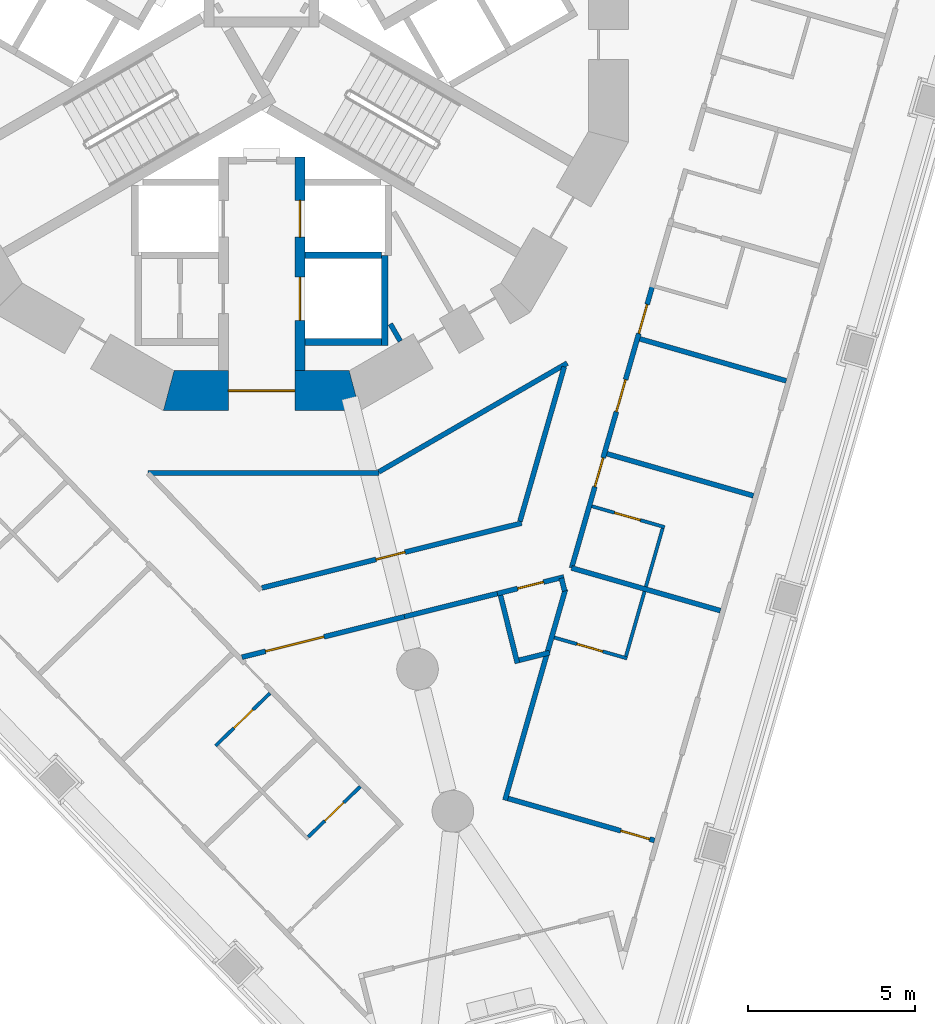
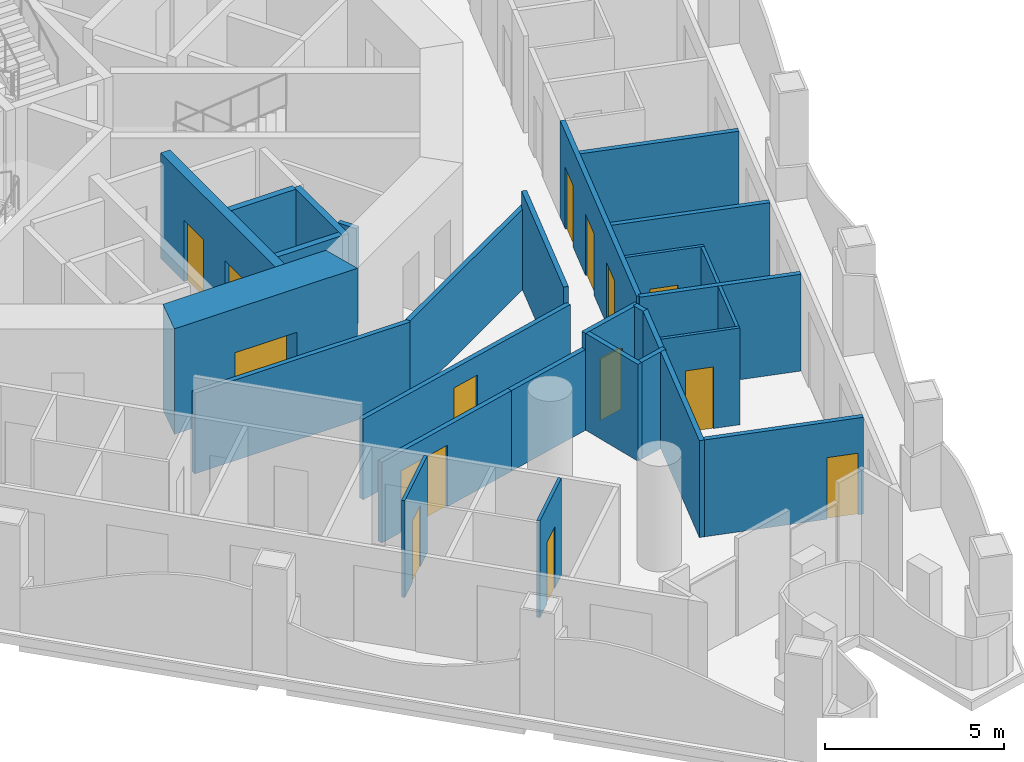
# One storey, part 4 of 20: 28 walls, 14 doors, 14 openings.
"""IFC4 building model written with IfcOpenShell, lengths in metres."""

from ifc_helpers import new_model, si_unit, direction, frame, frame_2d, origin, place, context, subcontext, project, spatial, polyline, rectangle, outline, extrude, material, layer, layer_set, type_object, element, fill, save


model = new_model("IFC4")

# Units and contexts
model_context = context("Model", 3, precision=1e-05, world=origin(), true_north=direction((0.0, 1.0)))
body_context = subcontext(model_context, "Body", "Model", "MODEL_VIEW")
ifc_project = project(units=[si_unit("LENGTHUNIT", "METRE"), si_unit("AREAUNIT", "SQUARE_METRE"), si_unit("VOLUMEUNIT", "CUBIC_METRE"), si_unit("PLANEANGLEUNIT", "RADIAN"), si_unit("MASSUNIT", "GRAM", prefix="KILO")], contexts=[model_context])

# Site, building, storey
site_placement = place(None, origin())
site = spatial("IfcSite", under=ifc_project, at=site_placement, CompositionType="ELEMENT")
building_placement = place(site_placement, origin())
building = spatial("IfcBuilding", under=site, at=building_placement, Name="Trine Commons Tower", CompositionType="ELEMENT")
storey_placement = place(building_placement, frame((0.0, 0.0, 101.699951171875)))
storey = spatial("IfcBuildingStorey", under=building, at=storey_placement, Name="L25", CompositionType="ELEMENT", Elevation=101.699951171875)

# Wall
ifc_material_1 = material(Name="Plasterboard partition on steel studs", Category="steel")
ifc_layer_1 = layer(ifc_material_1, 0.14990234375)
ifc_layer_set_1 = layer_set([ifc_layer_1], Name="Plasterboard partition on steel studs")
wall_type_1 = type_object("IfcWallType", Name="Core room partition 150 mm, EI 60", PredefinedType="PARTITIONING", material=ifc_layer_set_1)
wall_1_placement = place(storey_placement, frame((84.1640625, 53.574951171875, 0.0), z_axis=(0.0, 0.0, 1.0), x_axis=(-0.500665675203, 0.865640734759, 0.0)))
element("IfcWall", 1, at=wall_1_placement, inside=storey, type_object=wall_type_1, Name="Core room partition L25", PredefinedType="PARTITIONING", context=body_context, shape_type="SweptSolid", body=[
    extrude(rectangle(XDim=0.597412109375, YDim=0.14990234375, at=frame_2d((0.298828125, 0.0))), origin(), (0.0, 0.0, 1.0), 3.300048828125),
])

# Wall, opening, door
ifc_material_2 = material(Name="Concrete C70/85", Category="concrete")
ifc_layer_2 = layer(ifc_material_2, 1.199951171875)
ifc_layer_set_2 = layer_set([ifc_layer_2], Name="Concrete C70/85")
wall_type_2 = type_object("IfcWallType", Name="RC shear wall 1200 mm, C70/85", PredefinedType="SHEAR", material=ifc_layer_set_2)
wall_2_placement = place(storey_placement, frame((77.049560546875, 52.08837890625, 0.0), z_axis=(0.0, 0.0, 1.0), x_axis=(1.0, 0.0, 0.0)))
wall_2 = element("IfcWall", 2, at=wall_2_placement, inside=storey, type_object=wall_type_2, Name="Core wall CWC-10 L25", PredefinedType="SHEAR", context=body_context, shape_type="SweptSolid", body=[
    extrude(outline(polyline([(0.0, -0.60009765625), (5.90087890625, -0.60009765625), (5.57958984375, 0.60009765625), (0.321533203125, 0.60009765625), (0.0, -0.60009765625)])), origin(), (0.0, 0.0, 1.0), 3.60009765625),
])
opening_1_placement = place(wall_2_placement, frame((1.950439453125, 0.0, 0.0)))
opening_1 = element("IfcOpeningElement", 3, at=opening_1_placement, cuts=wall_2, Name="Opening K04.08", PredefinedType="OPENING", context=body_context, shape_type="SweptSolid", body=[
    extrude(rectangle(XDim=2.0, YDim=2.10009765625, at=frame_2d((1.0, 1.050048828125))), frame((0.0, 0.60986328125, 0.0), z_axis=(0.0, -1.0, 0.0), x_axis=(1.0, 0.0, 0.0)), (0.0, 0.0, 1.0), 1.219970703125),
])
ifc_material_3 = material(Name="Steel door leaves, fire-rated", Category="steel")
door_type_1 = type_object("IfcDoorType", Name="Lobby door, double leaf 2000 x 2100, FD60", OperationType="DOUBLE_DOOR_SINGLE_SWING", PredefinedType="DOOR", material=ifc_material_3)
door_1_placement = place(opening_1_placement, origin())
door_1 = element("IfcDoor", 4, at=door_1_placement, inside=storey, type_object=door_type_1, Name="Lobby door, Service and firefighting lobby L25", OperationType="DOUBLE_DOOR_SINGLE_SWING", OverallHeight=2.10009765625, OverallWidth=2.0, PredefinedType="DOOR", context=body_context, shape_type="SweptSolid", body=[
    extrude(rectangle(XDim=2.0, YDim=2.10009765625, at=frame_2d((1.0, 1.050048828125))), frame((0.0, 0.02490234375, 0.0), z_axis=(0.0, -1.0, 0.0), x_axis=(1.0, 0.0, 0.0)), (0.0, 0.0, 1.0), 0.050048828125),
])
fill(opening_1, door_1)

# Wall, openings, doors
ifc_layer_3 = layer(ifc_material_2, 0.300048828125)
ifc_layer_set_3 = layer_set([ifc_layer_3], Name="Concrete C70/85")
wall_type_3 = type_object("IfcWallType", Name="RC shear wall 300 mm, C70/85", PredefinedType="SHEAR", material=ifc_layer_set_3)
wall_3_placement = place(storey_placement, frame((81.14990234375, 59.10009765625, 0.0), z_axis=(0.0, 0.0, 1.0), x_axis=(0.0, -1.0, 0.0)))
wall_3 = element("IfcWall", 5, at=wall_3_placement, inside=storey, type_object=wall_type_3, Name="Core cross wall SWA-04 L25", PredefinedType="SHEAR", context=body_context, shape_type="SweptSolid", body=[
    extrude(rectangle(XDim=6.412109375, YDim=0.300048828125, at=frame_2d((3.2060546875, 0.0))), origin(), (0.0, 0.0, 1.0), 3.60009765625),
])
opening_2_placement = place(wall_3_placement, frame((3.60009765625, 0.0, 0.0)))
opening_2 = element("IfcOpeningElement", 6, at=opening_2_placement, cuts=wall_3, Name="Opening LD11", PredefinedType="OPENING", context=body_context, shape_type="SweptSolid", body=[
    extrude(rectangle(XDim=1.300048828125, YDim=2.10009765625, at=frame_2d((0.64990234375, 1.050048828125))), frame((0.0, 0.159912109375, 0.0), z_axis=(0.0, -1.0, 0.0), x_axis=(1.0, 0.0, 0.0)), (0.0, 0.0, 1.0), 0.320068359375),
])
opening_3_placement = place(wall_3_placement, frame((1.300048828125, 0.0, 0.0)))
opening_3 = element("IfcOpeningElement", 7, at=opening_3_placement, cuts=wall_3, Name="Opening LD9", PredefinedType="OPENING", context=body_context, shape_type="SweptSolid", body=[
    extrude(rectangle(XDim=1.10009765625, YDim=2.10009765625, at=frame_2d((0.550048828125, 1.050048828125))), frame((0.0, 0.159912109375, 0.0), z_axis=(0.0, -1.0, 0.0), x_axis=(1.0, 0.0, 0.0)), (0.0, 0.0, 1.0), 0.320068359375),
])
ifc_material_4 = material(Name="Stainless steel sliding door leaves", Category="steel")
door_type_2 = type_object("IfcDoorType", Name="Lift landing door, centre-opening sliding 1100 x 2100, FD90", OperationType="DOUBLE_DOOR_SLIDING", PredefinedType="DOOR", material=ifc_material_4)
door_2_placement = place(opening_3_placement, origin())
door_2 = element("IfcDoor", 8, at=door_2_placement, inside=storey, type_object=door_type_2, Name="Lift landing door FF1 L25", OperationType="DOUBLE_DOOR_SLIDING", OverallHeight=2.10009765625, OverallWidth=1.10009765625, PredefinedType="DOOR", context=body_context, shape_type="SweptSolid", body=[
    extrude(rectangle(XDim=1.10009765625, YDim=2.10009765625, at=frame_2d((0.550048828125, 1.050048828125))), frame((0.0, 0.02490234375, 0.0), z_axis=(0.0, -1.0, 0.0), x_axis=(1.0, 0.0, 0.0)), (0.0, 0.0, 1.0), 0.050048828125),
])
fill(opening_3, door_2)
door_type_3 = type_object("IfcDoorType", Name="Lift landing door, centre-opening sliding 1300 x 2100, FD90", OperationType="DOUBLE_DOOR_SLIDING", PredefinedType="DOOR", material=ifc_material_4)
door_3_placement = place(opening_2_placement, origin())
door_3 = element("IfcDoor", 9, at=door_3_placement, inside=storey, type_object=door_type_3, Name="Lift landing door G1 L25", OperationType="DOUBLE_DOOR_SLIDING", OverallHeight=2.10009765625, OverallWidth=1.300048828125, PredefinedType="DOOR", context=body_context, shape_type="SweptSolid", body=[
    extrude(rectangle(XDim=1.300048828125, YDim=2.10009765625, at=frame_2d((0.64990234375, 1.050048828125))), frame((0.0, 0.02490234375, 0.0), z_axis=(0.0, -1.0, 0.0), x_axis=(1.0, 0.0, 0.0)), (0.0, 0.0, 1.0), 0.050048828125),
])
fill(opening_2, door_3)

# Walls
ifc_material_5 = material(Name="Fire-rated gypsum shaft wall system")
ifc_layer_4 = layer(ifc_material_5, 0.199951171875)
ifc_layer_set_4 = layer_set([ifc_layer_4], Name="Fire-rated gypsum shaft wall system")
wall_type_4 = type_object("IfcWallType", Name="Shaft wall 200 mm, EI 120", PredefinedType="PARTITIONING", material=ifc_layer_set_4)
for number, where, z_axis, x_axis, name in (
    (10, (81.300048828125, 53.550048828125, 0.0), (0.0, 0.0, 1.0), (1.0, 0.0, 0.0), "Shaft wall L25"),
    (11, (81.300048828125, 56.14990234375, 0.0), (0.0, 0.0, 1.0), (1.0, 0.0, 0.0), "Shaft wall L25"),
):
    element("IfcWall", number, at=place(storey_placement, frame(where, z_axis=z_axis, x_axis=x_axis)), inside=storey, type_object=wall_type_4, Name=name, PredefinedType="PARTITIONING", context=body_context, shape_type="SweptSolid", body=[
        extrude(rectangle(XDim=2.300048828125, YDim=0.199951171875, at=frame_2d((1.14990234375, 0.0))), origin(), (0.0, 0.0, 1.0), 3.300048828125),
    ])
wall_4_placement = place(storey_placement, frame((83.699951171875, 56.14990234375, 0.0), z_axis=(0.0, 0.0, 1.0), x_axis=(0.0, -1.0, 0.0)))
element("IfcWall", 12, at=wall_4_placement, inside=storey, type_object=wall_type_4, Name="Shaft wall L25", PredefinedType="PARTITIONING", context=body_context, shape_type="SweptSolid", body=[
    extrude(rectangle(XDim=2.699951171875, YDim=0.199951171875, at=frame_2d((1.35009765625, 0.0))), origin(), (0.0, 0.0, 1.0), 3.300048828125),
])
ifc_material_6 = material(Name="Gypsum plasterboard on steel stud", Category="steel")
ifc_layer_5 = layer(ifc_material_6, 0.14990234375)
ifc_layer_set_5 = layer_set([ifc_layer_5], Name="Gypsum plasterboard on steel stud")
wall_type_5 = type_object("IfcWallType", Name="Unit and corridor wall 150 mm, EI 60", PredefinedType="PARTITIONING", material=ifc_layer_set_5)
wall_5_placement = place(storey_placement, frame((76.583984375, 49.613037109375, 0.0), z_axis=(0.0, 0.0, 1.0), x_axis=(1.0, 0.0, 0.0)))
element("IfcWall", 13, at=wall_5_placement, inside=storey, type_object=wall_type_5, Name="Partition 060", PredefinedType="PARTITIONING", context=body_context, shape_type="SweptSolid", body=[
    extrude(rectangle(XDim=6.944091796875, YDim=0.14990234375, at=frame_2d((3.47216796875, 0.0))), origin(), (0.0, 0.0, 1.0), 2.75),
])

# Wall, opening, door
wall_6_placement = place(storey_placement, frame((79.40869140625, 44.087158203125, 0.0), z_axis=(0.0, 0.0, 1.0), x_axis=(0.970285120957, 0.241964427241, 0.0)))
wall_6 = element("IfcWall", 14, at=wall_6_placement, inside=storey, type_object=wall_type_5, Name="Partition 072", PredefinedType="PARTITIONING", context=body_context, shape_type="SweptSolid", body=[
    extrude(rectangle(XDim=5.02880859375, YDim=0.14990234375, at=frame_2d((2.514404296875, 0.0))), origin(), (0.0, 0.0, 1.0), 2.75),
])
opening_4_placement = place(wall_6_placement, frame((0.735595703125, 0.0, 0.0)))
opening_4 = element("IfcOpeningElement", 15, at=opening_4_placement, cuts=wall_6, Name="Opening D-3B02", PredefinedType="OPENING", context=body_context, shape_type="SweptSolid", body=[
    extrude(rectangle(XDim=1.800048828125, YDim=2.10009765625, at=frame_2d((0.89990234375, 1.050048828125))), frame((0.0, 0.0849609375, 0.0), z_axis=(0.0, -1.0, 0.0), x_axis=(1.0, 0.0, 0.0)), (0.0, 0.0, 1.0), 0.169921875),
])
ifc_material_7 = material(Name="Timber fire door set", Category="wood")
door_type_4 = type_object("IfcDoorType", Name="Cluster entrance door 1800 x 2100, double leaf, FD30S", OperationType="DOUBLE_DOOR_DOUBLE_SWING", PredefinedType="DOOR", material=ifc_material_7)
door_4_placement = place(opening_4_placement, frame((1.800048828125, 0.0, 0.0), z_axis=(0.0, 0.0, 1.0), x_axis=(-1.0, 0.0, 0.0)))
door_4 = element("IfcDoor", 16, at=door_4_placement, inside=storey, type_object=door_type_4, Name="Door D-3B02", OperationType="DOUBLE_DOOR_DOUBLE_SWING", OverallHeight=2.10009765625, OverallWidth=1.800048828125, PredefinedType="DOOR", context=body_context, shape_type="SweptSolid", body=[
    extrude(rectangle(XDim=1.800048828125, YDim=2.10009765625, at=frame_2d((0.89990234375, 1.050048828125))), frame((0.0, 0.02490234375, 0.0), z_axis=(0.0, -1.0, 0.0), x_axis=(1.0, 0.0, 0.0)), (0.0, 0.0, 1.0), 0.050048828125),
])
fill(opening_4, door_4)

wall_7_placement = place(storey_placement, frame((80.005859375, 46.168212890625, 0.0), z_axis=(0.0, 0.0, 1.0), x_axis=(0.970272737209, 0.242014081056, 0.0)))
wall_7 = element("IfcWall", 17, at=wall_7_placement, inside=storey, type_object=wall_type_5, Name="Partition 074", PredefinedType="PARTITIONING", context=body_context, shape_type="SweptSolid", body=[
    extrude(rectangle(XDim=8.041015625, YDim=0.14990234375, at=frame_2d((4.0205078125, 0.0))), origin(), (0.0, 0.0, 1.0), 2.75),
])
opening_5_placement = place(wall_7_placement, frame((3.532958984375, 0.0, 0.0)))
opening_5 = element("IfcOpeningElement", 18, at=opening_5_placement, cuts=wall_7, Name="Opening D-3B36", PredefinedType="OPENING", context=body_context, shape_type="SweptSolid", body=[
    extrude(rectangle(XDim=0.89990234375, YDim=2.10009765625, at=frame_2d((0.449951171875, 1.050048828125))), frame((0.0, 0.0849609375, 0.0), z_axis=(0.0, -1.0, 0.0), x_axis=(1.0, 0.0, 0.0)), (0.0, 0.0, 1.0), 0.169921875),
])
door_type_5 = type_object("IfcDoorType", Name="Service door 900 x 2100, FD30S", OperationType="NOTDEFINED", PredefinedType="DOOR", material=ifc_material_7)
door_5_placement = place(opening_5_placement, origin())
door_5 = element("IfcDoor", 19, at=door_5_placement, inside=storey, type_object=door_type_5, Name="Door D-3B36", OperationType="SINGLE_SWING_LEFT", OverallHeight=2.10009765625, OverallWidth=0.89990234375, PredefinedType="DOOR", context=body_context, shape_type="SweptSolid", body=[
    extrude(rectangle(XDim=0.89990234375, YDim=2.10009765625, at=frame_2d((0.449951171875, 1.050048828125))), frame((0.0, 0.02490234375, 0.0), z_axis=(0.0, -1.0, 0.0), x_axis=(1.0, 0.0, 0.0)), (0.0, 0.0, 1.0), 0.050048828125),
])
fill(opening_5, door_5)

# Walls
wall_8_placement = place(storey_placement, frame((83.51806640625, 49.650390625, 0.0), z_axis=(0.0, 0.0, 1.0), x_axis=(0.866021893259, 0.50000608036, 0.0)))
element("IfcWall", 20, at=wall_8_placement, inside=storey, type_object=wall_type_5, Name="Partition 083", PredefinedType="PARTITIONING", context=body_context, shape_type="SweptSolid", body=[
    extrude(rectangle(XDim=6.5322265625, YDim=0.14990234375, at=frame_2d((3.26611328125, 0.0))), origin(), (0.0, 0.0, 1.0), 2.75),
])
wall_9_placement = place(storey_placement, frame((84.2880859375, 45.303955078125, 0.0), z_axis=(0.0, 0.0, 1.0), x_axis=(0.970312264522, 0.241855554658, 0.0)))
element("IfcWall", 21, at=wall_9_placement, inside=storey, type_object=wall_type_5, Name="Partition 087", PredefinedType="PARTITIONING", context=body_context, shape_type="SweptSolid", body=[
    extrude(rectangle(XDim=2.956787109375, YDim=0.14990234375, at=frame_2d((1.478515625, 0.0))), origin(), (0.0, 0.0, 1.0), 2.75),
])

# Wall, opening, door
wall_10_placement = place(storey_placement, frame((87.076171875, 45.998779296875, 0.0), z_axis=(0.0, 0.0, 1.0), x_axis=(0.970351527821, 0.241697977766, 0.0)))
wall_10 = element("IfcWall", 22, at=wall_10_placement, inside=storey, type_object=wall_type_5, Name="Partition 092", PredefinedType="PARTITIONING", context=body_context, shape_type="SweptSolid", body=[
    extrude(rectangle(XDim=2.0576171875, YDim=0.14990234375, at=frame_2d((1.02880859375, 0.0))), origin(), (0.0, 0.0, 1.0), 3.300048828125),
])
opening_6_placement = place(wall_10_placement, frame((0.62890625, 0.0, 0.0)))
opening_6 = element("IfcOpeningElement", 23, at=opening_6_placement, cuts=wall_10, Name="Opening D-3B05", PredefinedType="OPENING", context=body_context, shape_type="SweptSolid", body=[
    extrude(rectangle(XDim=0.800048828125, YDim=2.10009765625, at=frame_2d((0.39990234375, 1.050048828125))), frame((0.0, 0.0849609375, 0.0), z_axis=(0.0, -1.0, 0.0), x_axis=(1.0, 0.0, 0.0)), (0.0, 0.0, 1.0), 0.169921875),
])
ifc_material_8 = material(Name="Painted timber", Category="wood")
door_type_6 = type_object("IfcDoorType", Name="Toilet door 800 x 2100, NOT RATED", OperationType="NOTDEFINED", PredefinedType="DOOR", material=ifc_material_8)
door_6_placement = place(opening_6_placement, frame((0.800048828125, 0.0, 0.0), z_axis=(0.0, 0.0, 1.0), x_axis=(-1.0, 0.0, 0.0)))
door_6 = element("IfcDoor", 24, at=door_6_placement, inside=storey, type_object=door_type_6, Name="Door D-3B05", OperationType="SINGLE_SWING_LEFT", OverallHeight=2.10009765625, OverallWidth=0.800048828125, PredefinedType="DOOR", context=body_context, shape_type="SweptSolid", body=[
    extrude(rectangle(XDim=0.800048828125, YDim=2.10009765625, at=frame_2d((0.39990234375, 1.050048828125))), frame((0.0, 0.02490234375, 0.0), z_axis=(0.0, -1.0, 0.0), x_axis=(1.0, 0.0, 0.0)), (0.0, 0.0, 1.0), 0.050048828125),
])
fill(opening_6, door_6)

# Walls
wall_11_placement = place(storey_placement, frame((87.171142578125, 45.9453125, 0.0), z_axis=(0.0, 0.0, 1.0), x_axis=(0.241879199479, -0.970306370617, 0.0)))
element("IfcWall", 25, at=wall_11_placement, inside=storey, type_object=wall_type_5, Name="Partition 093", PredefinedType="PARTITIONING", context=body_context, shape_type="SweptSolid", body=[
    extrude(rectangle(XDim=2.100341796875, YDim=0.14990234375, at=frame_2d((1.05029296875, 0.0))), origin(), (0.0, 0.0, 1.0), 3.300048828125),
])
wall_12_placement = place(storey_placement, frame((87.306396484375, 39.7958984375, 0.0), z_axis=(0.0, 0.0, 1.0), x_axis=(0.275518807658, 0.961295681165, 0.0)))
element("IfcWall", 26, at=wall_12_placement, inside=storey, type_object=wall_type_5, Name="Partition 094", PredefinedType="PARTITIONING", context=body_context, shape_type="SweptSolid", body=[
    extrude(rectangle(XDim=6.588134765625, YDim=0.14990234375, at=frame_2d((3.2939453125, 0.0))), origin(), (0.0, 0.0, 1.0), 3.300048828125),
])

# Wall, opening, door
wall_13_placement = place(storey_placement, frame((87.399169921875, 39.847412109375, 0.0), z_axis=(0.0, 0.0, 1.0), x_axis=(0.961251469363, -0.275673017626, 0.0)))
wall_13 = element("IfcWall", 27, at=wall_13_placement, inside=storey, type_object=wall_type_5, Name="Partition 095", PredefinedType="PARTITIONING", context=body_context, shape_type="SweptSolid", body=[
    extrude(rectangle(XDim=4.572509765625, YDim=0.14990234375, at=frame_2d((2.2861328125, 0.0))), origin(), (0.0, 0.0, 1.0), 3.300048828125),
])
opening_7_placement = place(wall_13_placement, frame((3.522705078125, 0.0, 0.0)))
opening_7 = element("IfcOpeningElement", 28, at=opening_7_placement, cuts=wall_13, Name="Opening D-3B25", PredefinedType="OPENING", context=body_context, shape_type="SweptSolid", body=[
    extrude(rectangle(XDim=0.89990234375, YDim=2.10009765625, at=frame_2d((0.449951171875, 1.050048828125))), frame((0.0, 0.0849609375, 0.0), z_axis=(0.0, -1.0, 0.0), x_axis=(1.0, 0.0, 0.0)), (0.0, 0.0, 1.0), 0.169921875),
])
door_type_7 = type_object("IfcDoorType", Name="Bedroom door 900 x 2100, FD30S", OperationType="NOTDEFINED", PredefinedType="DOOR", material=ifc_material_7)
door_7_placement = place(opening_7_placement, origin())
door_7 = element("IfcDoor", 29, at=door_7_placement, inside=storey, type_object=door_type_7, Name="Door D-3B25", OperationType="SINGLE_SWING_RIGHT", OverallHeight=2.10009765625, OverallWidth=0.89990234375, PredefinedType="DOOR", context=body_context, shape_type="SweptSolid", body=[
    extrude(rectangle(XDim=0.89990234375, YDim=2.10009765625, at=frame_2d((0.449951171875, 1.050048828125))), frame((0.0, 0.02490234375, 0.0), z_axis=(0.0, -1.0, 0.0), x_axis=(1.0, 0.0, 0.0)), (0.0, 0.0, 1.0), 0.050048828125),
])
fill(opening_7, door_7)

# Walls
wall_14_placement = place(storey_placement, frame((87.73388671875, 43.998291015625, 0.0), z_axis=(0.0, 0.0, 1.0), x_axis=(0.970310725512, 0.241861729005, 0.0)))
element("IfcWall", 30, at=wall_14_placement, inside=storey, type_object=wall_type_5, Name="Partition 097", PredefinedType="PARTITIONING", context=body_context, shape_type="SweptSolid", body=[
    extrude(rectangle(XDim=0.937744140625, YDim=0.14990234375, at=frame_2d((0.46875, 0.0))), origin(), (0.0, 0.0, 1.0), 3.300048828125),
])
wall_15_placement = place(storey_placement, frame((87.755615234375, 48.168212890625, 0.0), z_axis=(0.0, 0.0, 1.0), x_axis=(0.275589878427, 0.961275308592, 0.0)))
element("IfcWall", 31, at=wall_15_placement, inside=storey, type_object=wall_type_5, Name="Partition 098", PredefinedType="PARTITIONING", context=body_context, shape_type="SweptSolid", body=[
    extrude(rectangle(XDim=4.824462890625, YDim=0.14990234375, at=frame_2d((2.412109375, 0.0))), origin(), (0.0, 0.0, 1.0), 3.300048828125),
])
wall_16_placement = place(storey_placement, frame((89.0, 46.461669921875, 0.0), z_axis=(0.0, 0.0, 1.0), x_axis=(0.242248462582, -0.970214245606, 0.0)))
element("IfcWall", 32, at=wall_16_placement, inside=storey, type_object=wall_type_5, Name="Partition 104", PredefinedType="PARTITIONING", context=body_context, shape_type="SweptSolid", body=[
    extrude(rectangle(XDim=0.400146484375, YDim=0.14990234375, at=frame_2d((0.2001953125, 0.0))), origin(), (0.0, 0.0, 1.0), 3.300048828125),
])

# Wall, openings, doors
wall_17_placement = place(storey_placement, frame((89.303955078125, 46.762939453125, 0.0), z_axis=(0.0, 0.0, 1.0), x_axis=(0.275663916699, 0.961254079331, 0.0)))
wall_17 = element("IfcWall", 33, at=wall_17_placement, inside=storey, type_object=wall_type_5, Name="Partition 105", PredefinedType="PARTITIONING", context=body_context, shape_type="SweptSolid", body=[
    extrude(rectangle(XDim=8.82275390625, YDim=0.14990234375, at=frame_2d((4.411376953125, 0.0))), origin(), (0.0, 0.0, 1.0), 3.300048828125),
])
opening_8_placement = place(wall_17_placement, frame((7.330078125, 0.0, 0.0)))
opening_8 = element("IfcOpeningElement", 34, at=opening_8_placement, cuts=wall_17, Name="Opening D-3B22", PredefinedType="OPENING", context=body_context, shape_type="SweptSolid", body=[
    extrude(rectangle(XDim=0.89990234375, YDim=2.10009765625, at=frame_2d((0.449951171875, 1.050048828125))), frame((0.0, 0.0849609375, 0.0), z_axis=(0.0, -1.0, 0.0), x_axis=(1.0, 0.0, 0.0)), (0.0, 0.0, 1.0), 0.169921875),
])
opening_9_placement = place(wall_17_placement, frame((4.885986328125, 0.0, 0.0)))
opening_9 = element("IfcOpeningElement", 35, at=opening_9_placement, cuts=wall_17, Name="Opening D-3B23", PredefinedType="OPENING", context=body_context, shape_type="SweptSolid", body=[
    extrude(rectangle(XDim=1.0, YDim=2.10009765625, at=frame_2d((0.5, 1.050048828125))), frame((0.0, 0.0849609375, 0.0), z_axis=(0.0, -1.0, 0.0), x_axis=(1.0, 0.0, 0.0)), (0.0, 0.0, 1.0), 0.169921875),
])
opening_10_placement = place(wall_17_placement, frame((2.5419921875, 0.0, 0.0)))
opening_10 = element("IfcOpeningElement", 36, at=opening_10_placement, cuts=wall_17, Name="Opening D-3B24", PredefinedType="OPENING", context=body_context, shape_type="SweptSolid", body=[
    extrude(rectangle(XDim=0.89990234375, YDim=2.10009765625, at=frame_2d((0.449951171875, 1.050048828125))), frame((0.0, 0.0849609375, 0.0), z_axis=(0.0, -1.0, 0.0), x_axis=(1.0, 0.0, 0.0)), (0.0, 0.0, 1.0), 0.169921875),
])
door_type_8 = type_object("IfcDoorType", Name="Amenity room door 1000 x 2100, NOT RATED", OperationType="NOTDEFINED", PredefinedType="DOOR", material=ifc_material_8)
door_8_placement = place(opening_9_placement, frame((1.0, 0.0, 0.0), z_axis=(0.0, 0.0, 1.0), x_axis=(-1.0, 0.0, 0.0)))
door_8 = element("IfcDoor", 37, at=door_8_placement, inside=storey, type_object=door_type_8, Name="Door D-3B23", OperationType="SINGLE_SWING_LEFT", OverallHeight=2.10009765625, OverallWidth=1.0, PredefinedType="DOOR", context=body_context, shape_type="SweptSolid", body=[
    extrude(rectangle(XDim=1.0, YDim=2.10009765625, at=frame_2d((0.5, 1.050048828125))), frame((0.0, 0.02490234375, 0.0), z_axis=(0.0, -1.0, 0.0), x_axis=(1.0, 0.0, 0.0)), (0.0, 0.0, 1.0), 0.050048828125),
])
fill(opening_9, door_8)
door_9_placement = place(opening_8_placement, frame((0.89990234375, 0.0, 0.0), z_axis=(0.0, 0.0, 1.0), x_axis=(-1.0, 0.0, 0.0)))
door_9 = element("IfcDoor", 38, at=door_9_placement, inside=storey, type_object=door_type_7, Name="Door D-3B22", OperationType="SINGLE_SWING_LEFT", OverallHeight=2.10009765625, OverallWidth=0.89990234375, PredefinedType="DOOR", context=body_context, shape_type="SweptSolid", body=[
    extrude(rectangle(XDim=0.89990234375, YDim=2.10009765625, at=frame_2d((0.449951171875, 1.050048828125))), frame((0.0, 0.02490234375, 0.0), z_axis=(0.0, -1.0, 0.0), x_axis=(1.0, 0.0, 0.0)), (0.0, 0.0, 1.0), 0.050048828125),
])
fill(opening_8, door_9)
door_10_placement = place(opening_10_placement, frame((0.89990234375, 0.0, 0.0), z_axis=(0.0, 0.0, 1.0), x_axis=(-1.0, 0.0, 0.0)))
door_10 = element("IfcDoor", 39, at=door_10_placement, inside=storey, type_object=door_type_7, Name="Door D-3B24", OperationType="SINGLE_SWING_RIGHT", OverallHeight=2.10009765625, OverallWidth=0.89990234375, PredefinedType="DOOR", context=body_context, shape_type="SweptSolid", body=[
    extrude(rectangle(XDim=0.89990234375, YDim=2.10009765625, at=frame_2d((0.449951171875, 1.050048828125))), frame((0.0, 0.02490234375, 0.0), z_axis=(0.0, -1.0, 0.0), x_axis=(1.0, 0.0, 0.0)), (0.0, 0.0, 1.0), 0.050048828125),
])
fill(opening_10, door_10)

# Walls
wall_18_placement = place(storey_placement, frame((89.304931640625, 46.76708984375, 0.0), z_axis=(0.0, 0.0, 1.0), x_axis=(0.961263836782, -0.275629889699, 0.0)))
element("IfcWall", 40, at=wall_18_placement, inside=storey, type_object=wall_type_5, Name="Partition 106", PredefinedType="PARTITIONING", context=body_context, shape_type="SweptSolid", body=[
    extrude(rectangle(XDim=4.6474609375, YDim=0.14990234375, at=frame_2d((2.32373046875, 0.0))), origin(), (0.0, 0.0, 1.0), 3.300048828125),
])
wall_19_placement = place(storey_placement, frame((90.3662109375, 50.1953125, 0.0), z_axis=(0.0, 0.0, 1.0), x_axis=(0.961265617229, -0.275623680283, 0.0)))
element("IfcWall", 41, at=wall_19_placement, inside=storey, type_object=wall_type_5, Name="Partition 113", PredefinedType="PARTITIONING", context=body_context, shape_type="SweptSolid", body=[
    extrude(rectangle(XDim=4.572265625, YDim=0.14990234375, at=frame_2d((2.2861328125, 0.0))), origin(), (0.0, 0.0, 1.0), 3.300048828125),
])
wall_20_placement = place(storey_placement, frame((91.35498046875, 53.644287109375, 0.0), z_axis=(0.0, 0.0, 1.0), x_axis=(0.961269673231, -0.275609534171, 0.0)))
element("IfcWall", 42, at=wall_20_placement, inside=storey, type_object=wall_type_5, Name="Partition 116", PredefinedType="PARTITIONING", context=body_context, shape_type="SweptSolid", body=[
    extrude(rectangle(XDim=4.572509765625, YDim=0.14990234375, at=frame_2d((2.2861328125, 0.0))), origin(), (0.0, 0.0, 1.0), 3.300048828125),
])

# Wall, opening, door
ifc_layer_6 = layer(ifc_material_6, 0.10009765625)
ifc_layer_set_6 = layer_set([ifc_layer_6], Name="Gypsum plasterboard on steel stud")
wall_type_6 = type_object("IfcWallType", Name="Unit partition 100 mm, no rating", PredefinedType="PARTITIONING", material=ifc_layer_set_6)
wall_21_placement = place(storey_placement, frame((78.617919921875, 41.42919921875, 0.0), z_axis=(0.0, 0.0, 1.0), x_axis=(0.719181392624, 0.69482236903, 0.0)))
wall_21 = element("IfcWall", 43, at=wall_21_placement, inside=storey, type_object=wall_type_6, Name="Partition 070", PredefinedType="PARTITIONING", context=body_context, shape_type="SweptSolid", body=[
    extrude(rectangle(XDim=2.275146484375, YDim=0.10009765625, at=frame_2d((1.1376953125, 0.0))), origin(), (0.0, 0.0, 1.0), 3.300048828125),
])
opening_11_placement = place(wall_21_placement, frame((0.762451171875, 0.0, 0.0)))
opening_11 = element("IfcOpeningElement", 44, at=opening_11_placement, cuts=wall_21, Name="Opening D-3B59", PredefinedType="OPENING", context=body_context, shape_type="SweptSolid", body=[
    extrude(rectangle(XDim=0.800048828125, YDim=2.10009765625, at=frame_2d((0.39990234375, 1.050048828125))), frame((0.0, 0.06005859375, 0.0), z_axis=(0.0, -1.0, 0.0), x_axis=(1.0, 0.0, 0.0)), (0.0, 0.0, 1.0), 0.1201171875),
])
door_type_9 = type_object("IfcDoorType", Name="Internal door 800 x 2100, NOT RATED", OperationType="NOTDEFINED", PredefinedType="DOOR", material=ifc_material_8)
door_11_placement = place(opening_11_placement, origin())
door_11 = element("IfcDoor", 45, at=door_11_placement, inside=storey, type_object=door_type_9, Name="Door D-3B59", OperationType="SINGLE_SWING_RIGHT", OverallHeight=2.10009765625, OverallWidth=0.800048828125, PredefinedType="DOOR", context=body_context, shape_type="SweptSolid", body=[
    extrude(rectangle(XDim=0.800048828125, YDim=2.10009765625, at=frame_2d((0.39990234375, 1.050048828125))), frame((0.0, 0.02490234375, 0.0), z_axis=(0.0, -1.0, 0.0), x_axis=(1.0, 0.0, 0.0)), (0.0, 0.0, 1.0), 0.050048828125),
])
fill(opening_11, door_11)

wall_22_placement = place(storey_placement, frame((81.39892578125, 38.693603515625, 0.0), z_axis=(0.0, 0.0, 1.0), x_axis=(0.71918093231, 0.694822845481, 0.0)))
wall_22 = element("IfcWall", 46, at=wall_22_placement, inside=storey, type_object=wall_type_6, Name="Partition 079", PredefinedType="PARTITIONING", context=body_context, shape_type="SweptSolid", body=[
    extrude(rectangle(XDim=2.175048828125, YDim=0.10009765625, at=frame_2d((1.08740234375, 0.0))), origin(), (0.0, 0.0, 1.0), 3.300048828125),
])
opening_12_placement = place(wall_22_placement, frame((0.6875, 0.0, 0.0)))
opening_12 = element("IfcOpeningElement", 47, at=opening_12_placement, cuts=wall_22, Name="Opening D-3B58", PredefinedType="OPENING", context=body_context, shape_type="SweptSolid", body=[
    extrude(rectangle(XDim=0.800048828125, YDim=2.10009765625, at=frame_2d((0.39990234375, 1.050048828125))), frame((0.0, 0.06005859375, 0.0), z_axis=(0.0, -1.0, 0.0), x_axis=(1.0, 0.0, 0.0)), (0.0, 0.0, 1.0), 0.1201171875),
])
door_12_placement = place(opening_12_placement, frame((0.800048828125, 0.0, 0.0), z_axis=(0.0, 0.0, 1.0), x_axis=(-1.0, 0.0, 0.0)))
door_12 = element("IfcDoor", 48, at=door_12_placement, inside=storey, type_object=door_type_9, Name="Door D-3B58", OperationType="SINGLE_SWING_RIGHT", OverallHeight=2.10009765625, OverallWidth=0.800048828125, PredefinedType="DOOR", context=body_context, shape_type="SweptSolid", body=[
    extrude(rectangle(XDim=0.800048828125, YDim=2.10009765625, at=frame_2d((0.39990234375, 1.050048828125))), frame((0.0, 0.02490234375, 0.0), z_axis=(0.0, -1.0, 0.0), x_axis=(1.0, 0.0, 0.0)), (0.0, 0.0, 1.0), 0.050048828125),
])
fill(opening_12, door_12)

wall_23_placement = place(storey_placement, frame((88.7841796875, 44.67919921875, 0.0), z_axis=(0.0, 0.0, 1.0), x_axis=(0.961280606162, -0.275571399489, 0.0)))
wall_23 = element("IfcWall", 49, at=wall_23_placement, inside=storey, type_object=wall_type_6, Name="Partition 102", PredefinedType="PARTITIONING", context=body_context, shape_type="SweptSolid", body=[
    extrude(rectangle(XDim=2.275146484375, YDim=0.10009765625, at=frame_2d((1.1376953125, 0.0))), origin(), (0.0, 0.0, 1.0), 3.300048828125),
])
opening_13_placement = place(wall_23_placement, frame((0.71240234375, 0.0, 0.0)))
opening_13 = element("IfcOpeningElement", 50, at=opening_13_placement, cuts=wall_23, Name="Opening D-3B57", PredefinedType="OPENING", context=body_context, shape_type="SweptSolid", body=[
    extrude(rectangle(XDim=0.800048828125, YDim=2.10009765625, at=frame_2d((0.39990234375, 1.050048828125))), frame((0.0, 0.06005859375, 0.0), z_axis=(0.0, -1.0, 0.0), x_axis=(1.0, 0.0, 0.0)), (0.0, 0.0, 1.0), 0.1201171875),
])
door_13_placement = place(opening_13_placement, frame((0.800048828125, 0.0, 0.0), z_axis=(0.0, 0.0, 1.0), x_axis=(-1.0, 0.0, 0.0)))
door_13 = element("IfcDoor", 51, at=door_13_placement, inside=storey, type_object=door_type_9, Name="Door D-3B57", OperationType="SINGLE_SWING_RIGHT", OverallHeight=2.10009765625, OverallWidth=0.800048828125, PredefinedType="DOOR", context=body_context, shape_type="SweptSolid", body=[
    extrude(rectangle(XDim=0.800048828125, YDim=2.10009765625, at=frame_2d((0.39990234375, 1.050048828125))), frame((0.0, 0.02490234375, 0.0), z_axis=(0.0, -1.0, 0.0), x_axis=(1.0, 0.0, 0.0)), (0.0, 0.0, 1.0), 0.050048828125),
])
fill(opening_13, door_13)

wall_24_placement = place(storey_placement, frame((89.9140625, 48.620361328125, 0.0), z_axis=(0.0, 0.0, 1.0), x_axis=(0.961252175385, -0.275670555767, 0.0)))
wall_24 = element("IfcWall", 52, at=wall_24_placement, inside=storey, type_object=wall_type_6, Name="Partition 111", PredefinedType="PARTITIONING", context=body_context, shape_type="SweptSolid", body=[
    extrude(rectangle(XDim=2.275146484375, YDim=0.10009765625, at=frame_2d((1.1376953125, 0.0))), origin(), (0.0, 0.0, 1.0), 3.300048828125),
])
opening_14_placement = place(wall_24_placement, frame((0.71240234375, 0.0, 0.0)))
opening_14 = element("IfcOpeningElement", 53, at=opening_14_placement, cuts=wall_24, Name="Opening D-3B56", PredefinedType="OPENING", context=body_context, shape_type="SweptSolid", body=[
    extrude(rectangle(XDim=0.800048828125, YDim=2.10009765625, at=frame_2d((0.39990234375, 1.050048828125))), frame((0.0, 0.06005859375, 0.0), z_axis=(0.0, -1.0, 0.0), x_axis=(1.0, 0.0, 0.0)), (0.0, 0.0, 1.0), 0.1201171875),
])
door_14_placement = place(opening_14_placement, origin())
door_14 = element("IfcDoor", 54, at=door_14_placement, inside=storey, type_object=door_type_9, Name="Door D-3B56", OperationType="SINGLE_SWING_LEFT", OverallHeight=2.10009765625, OverallWidth=0.800048828125, PredefinedType="DOOR", context=body_context, shape_type="SweptSolid", body=[
    extrude(rectangle(XDim=0.800048828125, YDim=2.10009765625, at=frame_2d((0.39990234375, 1.050048828125))), frame((0.0, 0.02490234375, 0.0), z_axis=(0.0, -1.0, 0.0), x_axis=(1.0, 0.0, 0.0)), (0.0, 0.0, 1.0), 0.050048828125),
])
fill(opening_14, door_14)

# Walls
wall_25_placement = place(storey_placement, frame((90.936767578125, 44.114013671875, 0.0), z_axis=(0.0, 0.0, 1.0), x_axis=(0.275803571023, 0.961214018942, 0.0)))
element("IfcWall", 55, at=wall_25_placement, inside=storey, type_object=wall_type_6, Name="Partition 115", PredefinedType="PARTITIONING", context=body_context, shape_type="SweptSolid", body=[
    extrude(rectangle(XDim=2.025390625, YDim=0.10009765625, at=frame_2d((1.0126953125, 0.0))), origin(), (0.0, 0.0, 1.0), 3.300048828125),
])
wall_26_placement = place(storey_placement, frame((91.53662109375, 46.205078125, 0.0), z_axis=(0.0, 0.0, 1.0), x_axis=(0.275516324204, 0.961296392949, 0.0)))
element("IfcWall", 56, at=wall_26_placement, inside=storey, type_object=wall_type_6, Name="Partition 117", PredefinedType="PARTITIONING", context=body_context, shape_type="SweptSolid", body=[
    extrude(rectangle(XDim=1.824462890625, YDim=0.10009765625, at=frame_2d((0.912109375, 0.0))), origin(), (0.0, 0.0, 1.0), 3.300048828125),
])

save(model, "model.ifc")
